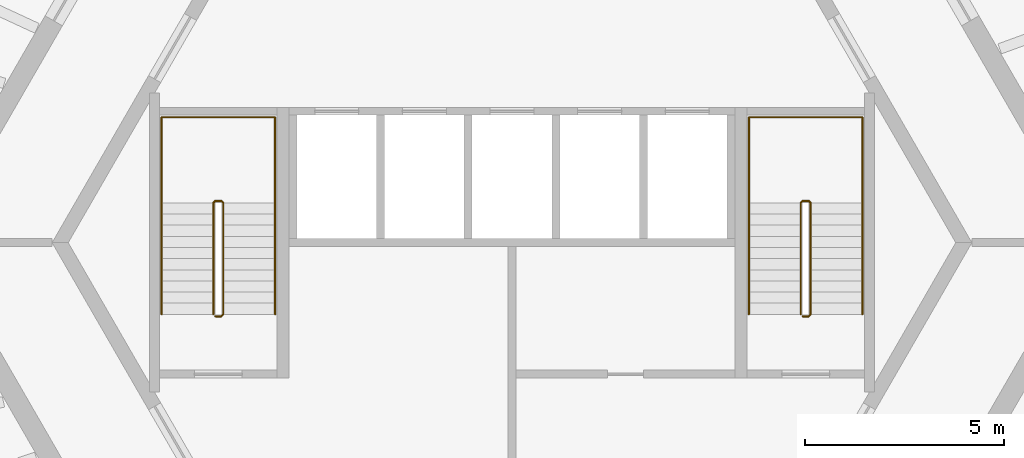
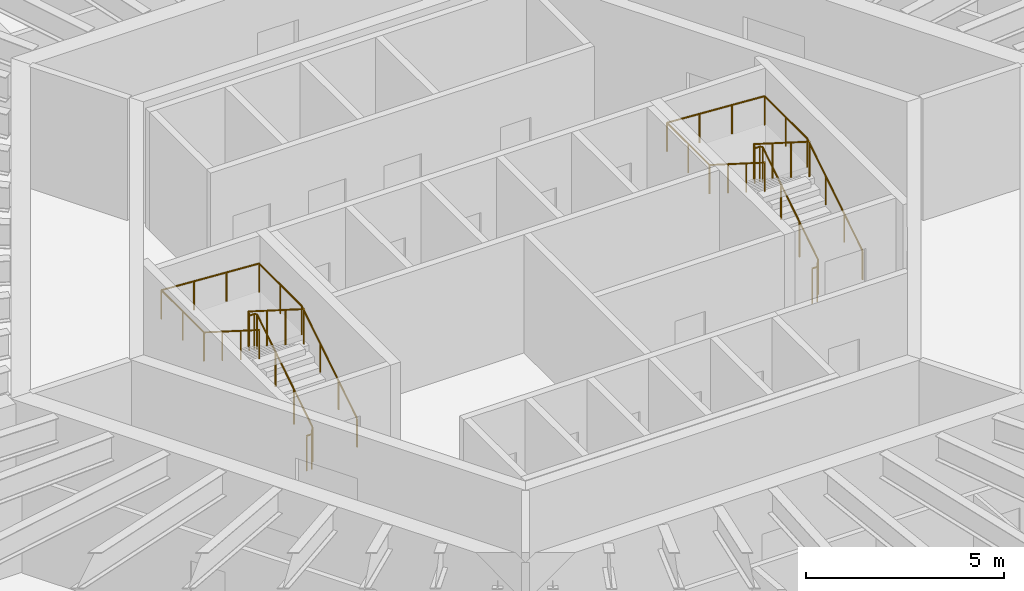
# One storey, part 9 of 9: 4 railings.
"""IFC4 building model written with IfcOpenShell, lengths in metres."""

from ifc_helpers import new_model, si_unit, direction, frame, origin, origin_2d, place, context, subcontext, project, spatial, circle, extrude, material, type_object, element, save


model = new_model("IFC4")

# Units and contexts
model_context = context("Model", 3, precision=1e-05, world=origin(), true_north=direction((0.0, 1.0)))
body_context = subcontext(model_context, "Body", "Model", "MODEL_VIEW")
ifc_project = project(units=[si_unit("LENGTHUNIT", "METRE"), si_unit("AREAUNIT", "SQUARE_METRE"), si_unit("VOLUMEUNIT", "CUBIC_METRE"), si_unit("PLANEANGLEUNIT", "RADIAN"), si_unit("MASSUNIT", "GRAM", prefix="KILO")], contexts=[model_context])

# Site, building, storey
site_placement = place(None, origin())
site = spatial("IfcSite", under=ifc_project, at=site_placement, CompositionType="ELEMENT")
building_placement = place(site_placement, origin())
building = spatial("IfcBuilding", under=site, at=building_placement, Name="Tarnside Tower", CompositionType="ELEMENT")
storey_placement = place(building_placement, frame((0.0, 0.0, 219.0)))
storey = spatial("IfcBuildingStorey", under=building, at=storey_placement, Name="L52", CompositionType="ELEMENT", Elevation=219.0)

# Railings
ifc_material = material(Name="Stainless steel", Category="steel")
railing_type_1 = type_object("IfcRailingType", Name="Stair guard 1100", PredefinedType="GUARDRAIL", material=ifc_material)
railing_1_placement = place(storey_placement, frame((7.300048828125, -1.85009765625, 0.0)))
element("IfcRailing", 1, at=railing_1_placement, inside=storey, type_object=railing_type_1, Name="L52 ST1 stair guard 1", PredefinedType="GUARDRAIL", context=body_context, shape_type="SweptSolid", body=[
    extrude(circle(Radius=0.02392578125, at=origin_2d()), frame((0.0, 0.0, 1.076171875), z_axis=(1.0, 0.0, 0.0), x_axis=(0.0, 1.0, 0.0)), (0.0, 0.0, 1.0), 0.14990234375),
    extrude(circle(Radius=0.02392578125, at=origin_2d()), frame((0.14990234375, 0.0, 1.076171875), z_axis=(0.262233686654, 0.262233686654, 0.928691007369), x_axis=(-0.707106781187, 0.707106781187, 0.0)), (0.0, 0.0, 1.0), 0.19091796875),
    extrude(circle(Radius=0.02392578125, at=origin_2d()), frame((0.199951171875, 0.050048828125, 1.25341796875), z_axis=(0.0, 0.844908973607, 0.534910110503), x_axis=(-1.0, 0.0, 0.0)), (0.0, 0.0, 1.0), 3.31396484375),
    extrude(circle(Radius=0.02392578125, at=origin_2d()), frame((0.199951171875, 2.85009765625, 3.02587890625), z_axis=(-0.707106781187, 0.707106781187, 0.0), x_axis=(-0.707106781187, -0.707106781187, 0.0)), (0.0, 0.0, 1.0), 0.07080078125),
    extrude(circle(Radius=0.02392578125, at=origin_2d()), frame((0.14990234375, 2.900146484375, 3.02587890625), z_axis=(-1.0, 0.0, 0.0), x_axis=(0.0, -1.0, 0.0)), (0.0, 0.0, 1.0), 0.14990234375),
    extrude(circle(Radius=0.02392578125, at=origin_2d()), frame((0.0, 2.900146484375, 3.02587890625), z_axis=(-0.262233686654, -0.262233686654, 0.928691007369), x_axis=(0.707106781187, -0.707106781187, 0.0)), (0.0, 0.0, 1.0), 0.19091796875),
    extrude(circle(Radius=0.02392578125, at=origin_2d()), frame((-0.050048828125, 2.85009765625, 3.203125), z_axis=(0.0, -0.844908973607, 0.534910110503), x_axis=(1.0, 0.0, 0.0)), (0.0, 0.0, 1.0), 3.31396484375),
    extrude(circle(Radius=0.02099609375, at=origin_2d()), origin(), (0.0, 0.0, 1.0), 1.052001953125),
    extrude(circle(Radius=0.02099609375, at=origin_2d()), frame((0.14990234375, 0.0, 0.0)), (0.0, 0.0, 1.0), 1.052001953125),
    extrude(circle(Radius=0.02099609375, at=origin_2d()), frame((0.199951171875, 0.050048828125, 0.17724609375)), (0.0, 0.0, 1.0), 1.052001953125),
    extrude(circle(Radius=0.02099609375, at=origin_2d()), frame((0.199951171875, 0.9833984375, 0.76806640625)), (0.0, 0.0, 1.0), 1.052001953125),
    extrude(circle(Radius=0.02099609375, at=origin_2d()), frame((0.199951171875, 1.916748046875, 1.359130859375)), (0.0, 0.0, 1.0), 1.052001953125),
    extrude(circle(Radius=0.02099609375, at=origin_2d()), frame((0.199951171875, 2.85009765625, 1.949951171875)), (0.0, 0.0, 1.0), 1.052001953125),
    extrude(circle(Radius=0.02099609375, at=origin_2d()), frame((0.14990234375, 2.900146484375, 1.949951171875)), (0.0, 0.0, 1.0), 1.052001953125),
    extrude(circle(Radius=0.02099609375, at=origin_2d()), frame((0.0, 2.900146484375, 1.949951171875)), (0.0, 0.0, 1.0), 1.052001953125),
    extrude(circle(Radius=0.02099609375, at=origin_2d()), frame((-0.050048828125, 2.85009765625, 2.127197265625)), (0.0, 0.0, 1.0), 1.052001953125),
    extrude(circle(Radius=0.02099609375, at=origin_2d()), frame((-0.050048828125, 1.916748046875, 2.718017578125)), (0.0, 0.0, 1.0), 1.052001953125),
    extrude(circle(Radius=0.02099609375, at=origin_2d()), frame((-0.050048828125, 0.9833984375, 3.30908203125)), (0.0, 0.0, 1.0), 1.052001953125),
    extrude(circle(Radius=0.02099609375, at=origin_2d()), frame((-0.050048828125, 0.050048828125, 3.89990234375)), (0.0, 0.0, 1.0), 1.052001953125),
])
railing_2_placement = place(storey_placement, frame((-7.449951171875, -1.85009765625, 0.0)))
element("IfcRailing", 2, at=railing_2_placement, inside=storey, type_object=railing_type_1, Name="L52 ST2 stair guard 1", PredefinedType="GUARDRAIL", context=body_context, shape_type="SweptSolid", body=[
    extrude(circle(Radius=0.02392578125, at=origin_2d()), frame((0.0, 0.0, 1.076171875), z_axis=(1.0, 0.0, 0.0), x_axis=(0.0, 1.0, 0.0)), (0.0, 0.0, 1.0), 0.14990234375),
    extrude(circle(Radius=0.02392578125, at=origin_2d()), frame((0.14990234375, 0.0, 1.076171875), z_axis=(0.262233686654, 0.262233686654, 0.928691007369), x_axis=(-0.707106781187, 0.707106781187, 0.0)), (0.0, 0.0, 1.0), 0.19091796875),
    extrude(circle(Radius=0.02392578125, at=origin_2d()), frame((0.199951171875, 0.050048828125, 1.25341796875), z_axis=(0.0, 0.844908973607, 0.534910110503), x_axis=(-1.0, 0.0, 0.0)), (0.0, 0.0, 1.0), 3.31396484375),
    extrude(circle(Radius=0.02392578125, at=origin_2d()), frame((0.199951171875, 2.85009765625, 3.02587890625), z_axis=(-0.707106781187, 0.707106781187, 0.0), x_axis=(-0.707106781187, -0.707106781187, 0.0)), (0.0, 0.0, 1.0), 0.07080078125),
    extrude(circle(Radius=0.02392578125, at=origin_2d()), frame((0.14990234375, 2.900146484375, 3.02587890625), z_axis=(-1.0, 0.0, 0.0), x_axis=(0.0, -1.0, 0.0)), (0.0, 0.0, 1.0), 0.14990234375),
    extrude(circle(Radius=0.02392578125, at=origin_2d()), frame((0.0, 2.900146484375, 3.02587890625), z_axis=(-0.262233686654, -0.262233686654, 0.928691007369), x_axis=(0.707106781187, -0.707106781187, 0.0)), (0.0, 0.0, 1.0), 0.19091796875),
    extrude(circle(Radius=0.02392578125, at=origin_2d()), frame((-0.050048828125, 2.85009765625, 3.203125), z_axis=(0.0, -0.844908973607, 0.534910110503), x_axis=(1.0, 0.0, 0.0)), (0.0, 0.0, 1.0), 3.31396484375),
    extrude(circle(Radius=0.02099609375, at=origin_2d()), origin(), (0.0, 0.0, 1.0), 1.052001953125),
    extrude(circle(Radius=0.02099609375, at=origin_2d()), frame((0.14990234375, 0.0, 0.0)), (0.0, 0.0, 1.0), 1.052001953125),
    extrude(circle(Radius=0.02099609375, at=origin_2d()), frame((0.199951171875, 0.050048828125, 0.17724609375)), (0.0, 0.0, 1.0), 1.052001953125),
    extrude(circle(Radius=0.02099609375, at=origin_2d()), frame((0.199951171875, 0.9833984375, 0.76806640625)), (0.0, 0.0, 1.0), 1.052001953125),
    extrude(circle(Radius=0.02099609375, at=origin_2d()), frame((0.199951171875, 1.916748046875, 1.359130859375)), (0.0, 0.0, 1.0), 1.052001953125),
    extrude(circle(Radius=0.02099609375, at=origin_2d()), frame((0.199951171875, 2.85009765625, 1.949951171875)), (0.0, 0.0, 1.0), 1.052001953125),
    extrude(circle(Radius=0.02099609375, at=origin_2d()), frame((0.14990234375, 2.900146484375, 1.949951171875)), (0.0, 0.0, 1.0), 1.052001953125),
    extrude(circle(Radius=0.02099609375, at=origin_2d()), frame((0.0, 2.900146484375, 1.949951171875)), (0.0, 0.0, 1.0), 1.052001953125),
    extrude(circle(Radius=0.02099609375, at=origin_2d()), frame((-0.050048828125, 2.85009765625, 2.127197265625)), (0.0, 0.0, 1.0), 1.052001953125),
    extrude(circle(Radius=0.02099609375, at=origin_2d()), frame((-0.050048828125, 1.916748046875, 2.718017578125)), (0.0, 0.0, 1.0), 1.052001953125),
    extrude(circle(Radius=0.02099609375, at=origin_2d()), frame((-0.050048828125, 0.9833984375, 3.30908203125)), (0.0, 0.0, 1.0), 1.052001953125),
    extrude(circle(Radius=0.02099609375, at=origin_2d()), frame((-0.050048828125, 0.050048828125, 3.89990234375)), (0.0, 0.0, 1.0), 1.052001953125),
])
railing_type_2 = type_object("IfcRailingType", Name="Stair handrail 900", PredefinedType="HANDRAIL", material=ifc_material)
railing_3_placement = place(storey_placement, frame((8.800048828125, -1.800048828125, 0.17724609375)))
element("IfcRailing", 3, at=railing_3_placement, inside=storey, type_object=railing_type_2, Name="L52 ST1 stair handrail 1", PredefinedType="HANDRAIL", context=body_context, shape_type="SweptSolid", body=[
    extrude(circle(Radius=0.02392578125, at=origin_2d()), frame((0.0, 0.0, 0.8857421875), z_axis=(0.0, 0.844908973607, 0.534910110503), x_axis=(-1.0, 0.0, 0.0)), (0.0, 0.0, 1.0), 3.31396484375),
    extrude(circle(Radius=0.02392578125, at=origin_2d()), frame((0.0, 2.800048828125, 2.65869140625), z_axis=(0.0, 1.0, 0.0), x_axis=(-1.0, 0.0, 0.0)), (0.0, 0.0, 1.0), 2.14990234375),
    extrude(circle(Radius=0.02392578125, at=origin_2d()), frame((0.0, 4.949951171875, 2.65869140625), z_axis=(-0.998071825391, 0.0, 0.06206956872), x_axis=(0.0, -1.0, 0.0)), (0.0, 0.0, 1.0), 2.855712890625),
    extrude(circle(Radius=0.02392578125, at=origin_2d()), frame((-2.85009765625, 4.949951171875, 2.8359375), z_axis=(0.0, -1.0, 0.0), x_axis=(1.0, 0.0, 0.0)), (0.0, 0.0, 1.0), 2.14990234375),
    extrude(circle(Radius=0.02392578125, at=origin_2d()), frame((-2.85009765625, 2.800048828125, 2.8359375), z_axis=(0.0, -0.844908973607, 0.534910110503), x_axis=(1.0, 0.0, 0.0)), (0.0, 0.0, 1.0), 3.31396484375),
    extrude(circle(Radius=0.02099609375, at=origin_2d()), origin(), (0.0, 0.0, 1.0), 0.86181640625),
    extrude(circle(Radius=0.02099609375, at=origin_2d()), frame((0.0, 0.933349609375, 0.5908203125)), (0.0, 0.0, 1.0), 0.86181640625),
    extrude(circle(Radius=0.02099609375, at=origin_2d()), frame((0.0, 1.86669921875, 1.181884765625)), (0.0, 0.0, 1.0), 0.86181640625),
    extrude(circle(Radius=0.02099609375, at=origin_2d()), frame((0.0, 2.800048828125, 1.772705078125)), (0.0, 0.0, 1.0), 0.86181640625),
    extrude(circle(Radius=0.02099609375, at=origin_2d()), frame((0.0, 3.875, 1.772705078125)), (0.0, 0.0, 1.0), 0.86181640625),
    extrude(circle(Radius=0.02099609375, at=origin_2d()), frame((0.0, 4.949951171875, 1.772705078125)), (0.0, 0.0, 1.0), 0.86181640625),
    extrude(circle(Radius=0.02099609375, at=origin_2d()), frame((-0.949951171875, 4.949951171875, 1.831787109375)), (0.0, 0.0, 1.0), 0.86181640625),
    extrude(circle(Radius=0.02099609375, at=origin_2d()), frame((-1.900146484375, 4.949951171875, 1.890869140625)), (0.0, 0.0, 1.0), 0.86181640625),
    extrude(circle(Radius=0.02099609375, at=origin_2d()), frame((-2.85009765625, 4.949951171875, 1.949951171875)), (0.0, 0.0, 1.0), 0.86181640625),
    extrude(circle(Radius=0.02099609375, at=origin_2d()), frame((-2.85009765625, 3.875, 1.949951171875)), (0.0, 0.0, 1.0), 0.86181640625),
    extrude(circle(Radius=0.02099609375, at=origin_2d()), frame((-2.85009765625, 2.800048828125, 1.949951171875)), (0.0, 0.0, 1.0), 0.86181640625),
    extrude(circle(Radius=0.02099609375, at=origin_2d()), frame((-2.85009765625, 1.86669921875, 2.540771484375)), (0.0, 0.0, 1.0), 0.86181640625),
    extrude(circle(Radius=0.02099609375, at=origin_2d()), frame((-2.85009765625, 0.933349609375, 3.1318359375)), (0.0, 0.0, 1.0), 0.86181640625),
    extrude(circle(Radius=0.02099609375, at=origin_2d()), frame((-2.85009765625, 0.0, 3.72265625)), (0.0, 0.0, 1.0), 0.86181640625),
])
railing_4_placement = place(storey_placement, frame((-5.949951171875, -1.800048828125, 0.17724609375)))
element("IfcRailing", 4, at=railing_4_placement, inside=storey, type_object=railing_type_2, Name="L52 ST2 stair handrail 1", PredefinedType="HANDRAIL", context=body_context, shape_type="SweptSolid", body=[
    extrude(circle(Radius=0.02392578125, at=origin_2d()), frame((0.0, 0.0, 0.8857421875), z_axis=(0.0, 0.844908973607, 0.534910110503), x_axis=(-1.0, 0.0, 0.0)), (0.0, 0.0, 1.0), 3.31396484375),
    extrude(circle(Radius=0.02392578125, at=origin_2d()), frame((0.0, 2.800048828125, 2.65869140625), z_axis=(0.0, 1.0, 0.0), x_axis=(-1.0, 0.0, 0.0)), (0.0, 0.0, 1.0), 2.14990234375),
    extrude(circle(Radius=0.02392578125, at=origin_2d()), frame((0.0, 4.949951171875, 2.65869140625), z_axis=(-0.998071825391, 0.0, 0.06206956872), x_axis=(0.0, -1.0, 0.0)), (0.0, 0.0, 1.0), 2.855712890625),
    extrude(circle(Radius=0.02392578125, at=origin_2d()), frame((-2.85009765625, 4.949951171875, 2.8359375), z_axis=(0.0, -1.0, 0.0), x_axis=(1.0, 0.0, 0.0)), (0.0, 0.0, 1.0), 2.14990234375),
    extrude(circle(Radius=0.02392578125, at=origin_2d()), frame((-2.85009765625, 2.800048828125, 2.8359375), z_axis=(0.0, -0.844908973607, 0.534910110503), x_axis=(1.0, 0.0, 0.0)), (0.0, 0.0, 1.0), 3.31396484375),
    extrude(circle(Radius=0.02099609375, at=origin_2d()), origin(), (0.0, 0.0, 1.0), 0.86181640625),
    extrude(circle(Radius=0.02099609375, at=origin_2d()), frame((0.0, 0.933349609375, 0.5908203125)), (0.0, 0.0, 1.0), 0.86181640625),
    extrude(circle(Radius=0.02099609375, at=origin_2d()), frame((0.0, 1.86669921875, 1.181884765625)), (0.0, 0.0, 1.0), 0.86181640625),
    extrude(circle(Radius=0.02099609375, at=origin_2d()), frame((0.0, 2.800048828125, 1.772705078125)), (0.0, 0.0, 1.0), 0.86181640625),
    extrude(circle(Radius=0.02099609375, at=origin_2d()), frame((0.0, 3.875, 1.772705078125)), (0.0, 0.0, 1.0), 0.86181640625),
    extrude(circle(Radius=0.02099609375, at=origin_2d()), frame((0.0, 4.949951171875, 1.772705078125)), (0.0, 0.0, 1.0), 0.86181640625),
    extrude(circle(Radius=0.02099609375, at=origin_2d()), frame((-0.949951171875, 4.949951171875, 1.831787109375)), (0.0, 0.0, 1.0), 0.86181640625),
    extrude(circle(Radius=0.02099609375, at=origin_2d()), frame((-1.900146484375, 4.949951171875, 1.890869140625)), (0.0, 0.0, 1.0), 0.86181640625),
    extrude(circle(Radius=0.02099609375, at=origin_2d()), frame((-2.85009765625, 4.949951171875, 1.949951171875)), (0.0, 0.0, 1.0), 0.86181640625),
    extrude(circle(Radius=0.02099609375, at=origin_2d()), frame((-2.85009765625, 3.875, 1.949951171875)), (0.0, 0.0, 1.0), 0.86181640625),
    extrude(circle(Radius=0.02099609375, at=origin_2d()), frame((-2.85009765625, 2.800048828125, 1.949951171875)), (0.0, 0.0, 1.0), 0.86181640625),
    extrude(circle(Radius=0.02099609375, at=origin_2d()), frame((-2.85009765625, 1.86669921875, 2.540771484375)), (0.0, 0.0, 1.0), 0.86181640625),
    extrude(circle(Radius=0.02099609375, at=origin_2d()), frame((-2.85009765625, 0.933349609375, 3.1318359375)), (0.0, 0.0, 1.0), 0.86181640625),
    extrude(circle(Radius=0.02099609375, at=origin_2d()), frame((-2.85009765625, 0.0, 3.72265625)), (0.0, 0.0, 1.0), 0.86181640625),
])

save(model, "model.ifc")
